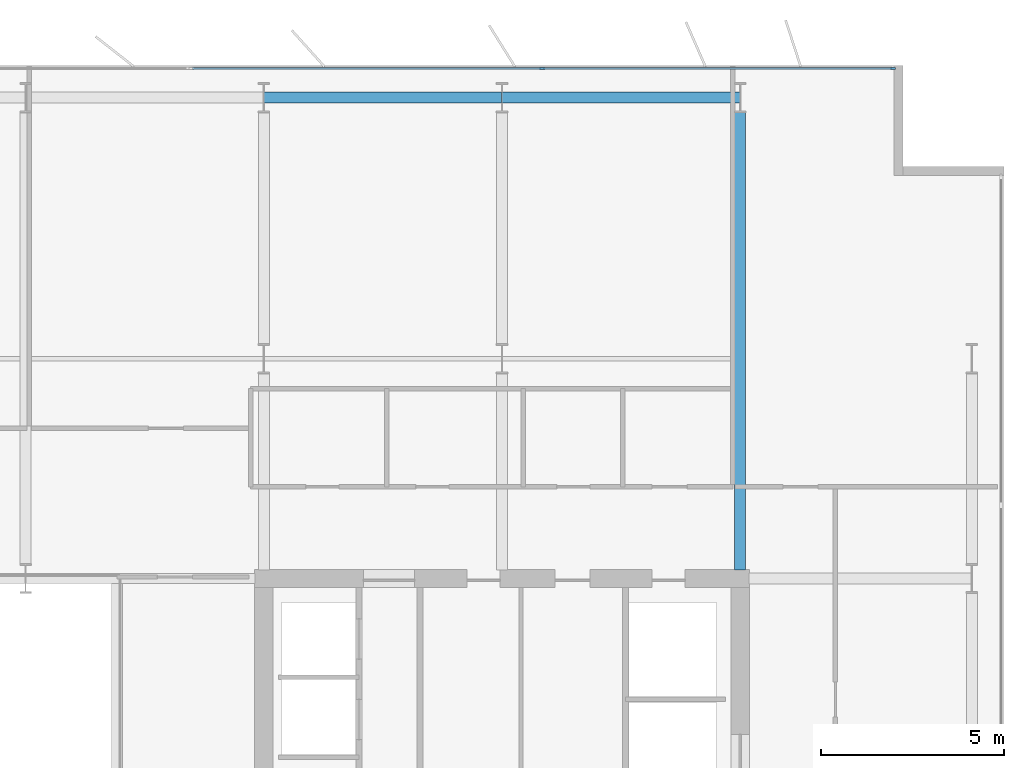
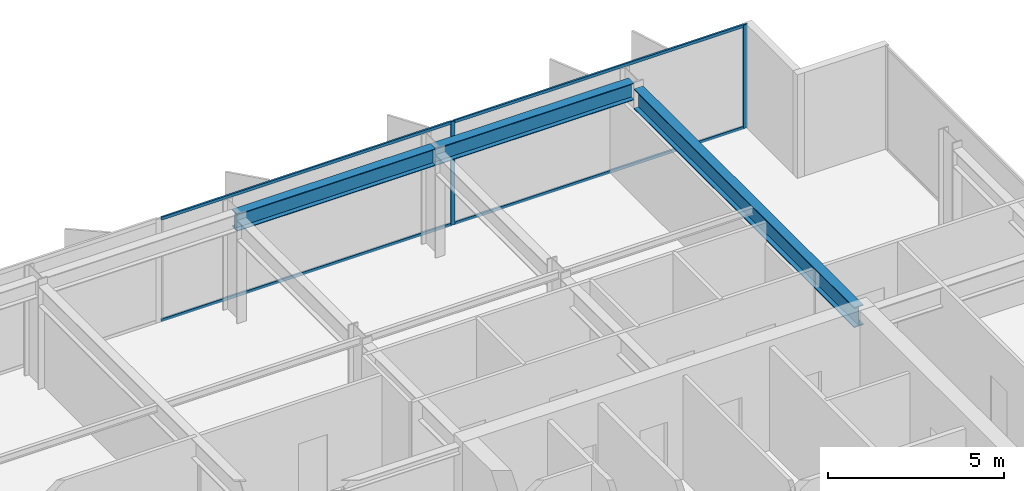
# One storey, part 13 of 23: 6 members, 3 beams, 1 element without a shape of its own.
"""IFC4 building model written with IfcOpenShell, lengths in metres."""

from ifc_helpers import new_model, si_unit, direction, frame, origin, origin_2d, place, context, subcontext, project, spatial, rectangle, i_section, extrude, material, layer, layer_set, material_profile, profile_set, type_object, element, aggregate, save


model = new_model("IFC4")

# Units and contexts
model_context = context("Model", 3, precision=1e-05, world=origin(), true_north=direction((0.0, 1.0)))
body_context = subcontext(model_context, "Body", "Model", "MODEL_VIEW")
ifc_project = project(units=[si_unit("LENGTHUNIT", "METRE"), si_unit("AREAUNIT", "SQUARE_METRE"), si_unit("VOLUMEUNIT", "CUBIC_METRE"), si_unit("PLANEANGLEUNIT", "RADIAN"), si_unit("MASSUNIT", "GRAM", prefix="KILO")], contexts=[model_context])

# Site, building, storey
site_placement = place(None, origin())
site = spatial("IfcSite", under=ifc_project, at=site_placement, CompositionType="ELEMENT")
building_placement = place(site_placement, origin())
building = spatial("IfcBuilding", under=site, at=building_placement, Name="Putna Gate Headquarters", CompositionType="ELEMENT")
storey_placement = place(building_placement, frame((0.0, 0.0, 210.0)))
storey = spatial("IfcBuildingStorey", under=building, at=storey_placement, Name="L52", CompositionType="ELEMENT", Elevation=210.0)

# Beams
ifc_material_1 = material(Name="Steel S355J2", Category="steel")
ifc_material_profile_1 = material_profile(ifc_material_1, i_section(OverallWidth=0.300048828125, OverallDepth=0.699951171875, WebThickness=0.01708984375, FlangeThickness=0.031982421875, at=origin_2d()), Name="Steel S355J2")
ifc_profile_set_1 = profile_set([ifc_material_profile_1], Name="Steel S355J2")
beam_type_1 = type_object("IfcBeamType", Name="BM-GIRD-B-HEB700", PredefinedType="USERDEFINED", material=ifc_profile_set_1)
beam_placement = place(storey_placement, frame((65.0, 33.235107421875, 3.22998046875), z_axis=(0.0, 1.0, 0.0), x_axis=(-1.0, 0.0, 0.0)))
element("IfcBeam", 1, at=beam_placement, inside=storey, type_object=beam_type_1, Name="L52 North Primary Girder X65", ObjectType="GIRDER", PredefinedType="USERDEFINED", context=body_context, shape_type="SweptSolid", body=[
    extrude(i_section(OverallWidth=0.300048828125, OverallDepth=0.699951171875, WebThickness=0.01708984375, FlangeThickness=0.031982421875, at=origin_2d()), origin(), (0.0, 0.0, 1.0), 12.489990234375),
])
ifc_material_profile_2 = material_profile(ifc_material_1, i_section(OverallWidth=0.300048828125, OverallDepth=0.590087890625, WebThickness=0.012939453125, FlangeThickness=0.02490234375, at=origin_2d()), Name="Steel S355J2")
ifc_profile_set_2 = profile_set([ifc_material_profile_2], Name="Steel S355J2")
beam_type_2 = type_object("IfcBeamType", Name="BM-SPAN-Z4-HEA600", PredefinedType="SPANDREL", material=ifc_profile_set_2)
for number, where, z_axis, x_axis, name in (
    (2, (52.006103515625, 46.1201171875, 3.284912109375), (1.0, 0.0, 0.0), (0.0, 1.0, 0.0), "L52 N Perimeter Spandrel 7"),
    (3, (58.506103515625, 46.1201171875, 3.284912109375), (1.0, 0.0, 0.0), (0.0, 1.0, 0.0), "L52 N Perimeter Spandrel 8"),
):
    element("IfcBeam", number, at=place(storey_placement, frame(where, z_axis=z_axis, x_axis=x_axis)), inside=storey, type_object=beam_type_2, Name=name, PredefinedType="SPANDREL", context=body_context, shape_type="SweptSolid", body=[
        extrude(i_section(OverallWidth=0.300048828125, OverallDepth=0.590087890625, WebThickness=0.012939453125, FlangeThickness=0.02490234375, at=origin_2d()), origin(), (0.0, 0.0, 1.0), 6.48779296875),
    ])

# Curtain wall, members
ifc_material_2 = material(Name="Anodised bronze aluminium curtain wall", Category="aluminium")
ifc_layer = layer(ifc_material_2, 0.139892578125)
ifc_layer_set = layer_set([ifc_layer], Name="Anodised bronze aluminium curtain wall")
curtain_wall_type = type_object("IfcCurtainWallType", Name="CW-SYS-Z4", PredefinedType="USERDEFINED", material=ifc_layer_set)
curtain_wall_placement = place(storey_placement, origin())
curtain_wall = element("IfcCurtainWall", 4, at=curtain_wall_placement, inside=storey, type_object=curtain_wall_type, Name="L52 North East Curtain Wall", ObjectType="STICK CURTAIN WALL", PredefinedType="USERDEFINED")
ifc_material_3 = material(Name="Anodised bronze aluminium EN AW-6060", Category="aluminium")
ifc_material_profile_3 = material_profile(ifc_material_3, rectangle(XDim=0.06005859375, YDim=0.139892578125, at=origin_2d()), Name="Anodised bronze aluminium EN AW-6060")
ifc_profile_set_3 = profile_set([ifc_material_profile_3], Name="Anodised bronze aluminium EN AW-6060")
member_type_1 = type_object("IfcMemberType", Name="MULL-CWM-4", PredefinedType="MULLION", material=ifc_profile_set_3)
member_1_placement = place(storey_placement, frame((59.60009765625, 46.919921875, 0.0), z_axis=(0.0, 0.0, 1.0), x_axis=(0.0, 1.0, 0.0)))
member_1 = element("IfcMember", 5, at=member_1_placement, type_object=member_type_1, Name="CWS-4 mullion 2", PredefinedType="MULLION", context=body_context, shape_type="SweptSolid", body=[
    extrude(rectangle(XDim=0.06005859375, YDim=0.139892578125, at=origin_2d()), origin(), (0.0, 0.0, 1.0), 3.580078125),
])
member_2_placement = place(storey_placement, frame((69.169921875, 46.919921875, 0.0), z_axis=(0.0, 0.0, 1.0), x_axis=(0.0, 1.0, 0.0)))
member_2 = element("IfcMember", 6, at=member_2_placement, type_object=member_type_1, Name="CWS-4 mullion 3", PredefinedType="MULLION", context=body_context, shape_type="SweptSolid", body=[
    extrude(rectangle(XDim=0.06005859375, YDim=0.139892578125, at=origin_2d()), origin(), (0.0, 0.0, 1.0), 3.580078125),
])
ifc_material_profile_4 = material_profile(ifc_material_3, rectangle(XDim=0.06005859375, YDim=0.10009765625, at=origin_2d()), Name="Anodised bronze aluminium EN AW-6060")
ifc_profile_set_4 = profile_set([ifc_material_profile_4], Name="Anodised bronze aluminium EN AW-6060")
member_type_2 = type_object("IfcMemberType", Name="TRAN-CWT-4", PredefinedType="USERDEFINED", material=ifc_profile_set_4)
member_3_placement = place(storey_placement, frame((50.06005859375, 46.919921875, 0.030029296875), z_axis=(1.0, 0.0, 0.0), x_axis=(0.0, 1.0, 0.0)))
member_3 = element("IfcMember", 7, at=member_3_placement, type_object=member_type_2, Name="CWS-4 transom 1.1", ObjectType="TRANSOM", PredefinedType="USERDEFINED", context=body_context, shape_type="SweptSolid", body=[
    extrude(rectangle(XDim=0.06005859375, YDim=0.10009765625, at=origin_2d()), origin(), (0.0, 0.0, 1.0), 9.510009765625),
])
member_4_placement = place(storey_placement, frame((50.06005859375, 46.919921875, 3.550048828125), z_axis=(1.0, 0.0, 0.0), x_axis=(0.0, 1.0, 0.0)))
member_4 = element("IfcMember", 8, at=member_4_placement, type_object=member_type_2, Name="CWS-4 transom 1.2", ObjectType="TRANSOM", PredefinedType="USERDEFINED", context=body_context, shape_type="SweptSolid", body=[
    extrude(rectangle(XDim=0.06005859375, YDim=0.10009765625, at=origin_2d()), origin(), (0.0, 0.0, 1.0), 9.510009765625),
])
member_5_placement = place(storey_placement, frame((59.6298828125, 46.919921875, 0.030029296875), z_axis=(1.0, 0.0, 0.0), x_axis=(0.0, 1.0, 0.0)))
member_5 = element("IfcMember", 9, at=member_5_placement, type_object=member_type_2, Name="CWS-4 transom 2.1", ObjectType="TRANSOM", PredefinedType="USERDEFINED", context=body_context, shape_type="SweptSolid", body=[
    extrude(rectangle(XDim=0.06005859375, YDim=0.10009765625, at=origin_2d()), origin(), (0.0, 0.0, 1.0), 9.510009765625),
])
member_6_placement = place(storey_placement, frame((59.6298828125, 46.919921875, 3.550048828125), z_axis=(1.0, 0.0, 0.0), x_axis=(0.0, 1.0, 0.0)))
member_6 = element("IfcMember", 10, at=member_6_placement, type_object=member_type_2, Name="CWS-4 transom 2.2", ObjectType="TRANSOM", PredefinedType="USERDEFINED", context=body_context, shape_type="SweptSolid", body=[
    extrude(rectangle(XDim=0.06005859375, YDim=0.10009765625, at=origin_2d()), origin(), (0.0, 0.0, 1.0), 9.510009765625),
])
aggregate(curtain_wall, [member_1, member_2, member_3, member_4, member_5, member_6])

save(model, "model.ifc")
